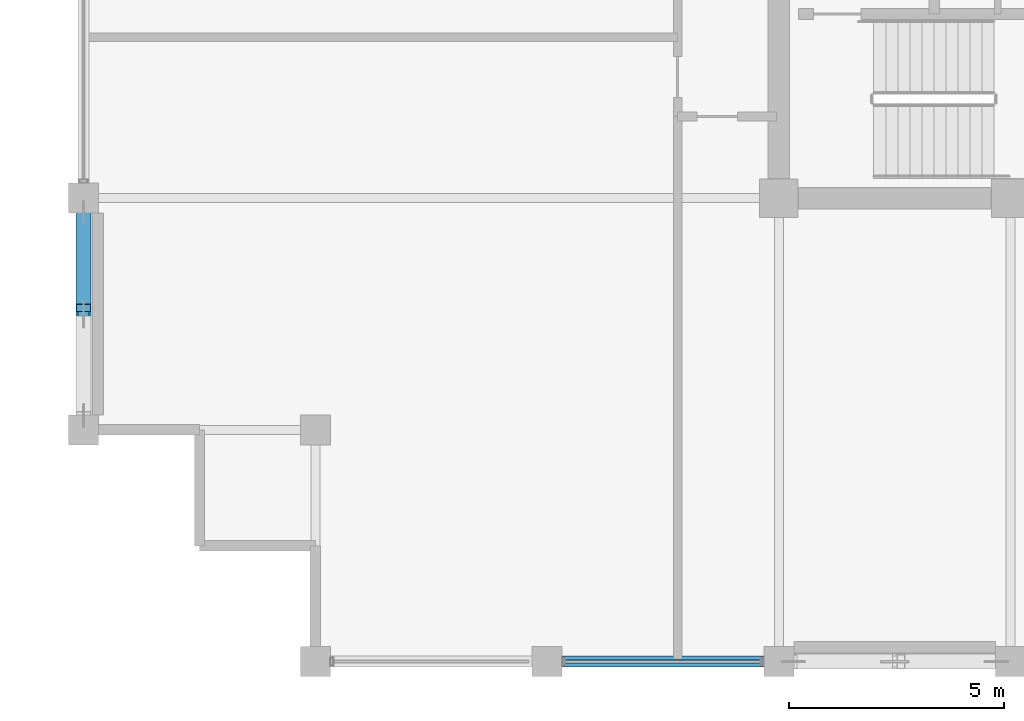
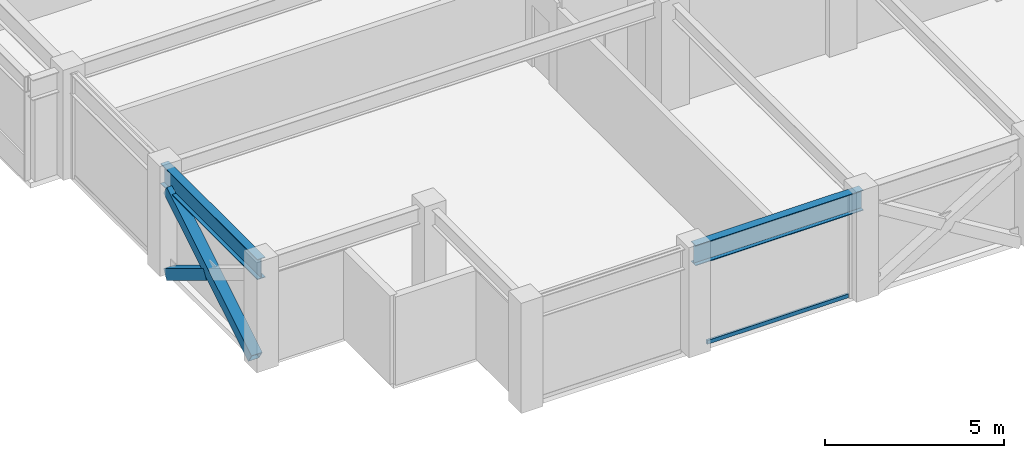
# One storey, part 3 of 32: 3 members, 2 beams, 1 element without a shape of its own.
"""IFC4 building model written with IfcOpenShell, lengths in metres."""

from ifc_helpers import new_model, si_unit, direction, frame, origin, origin_2d, place, context, subcontext, project, spatial, hollow_rectangle, i_section, extrude, material, layer, layer_set, material_profile, profile_set, type_object, element, aggregate, save


model = new_model("IFC4")

# Units and contexts
model_context = context("Model", 3, precision=1e-05, world=origin(), true_north=direction((0.0, 1.0)))
body_context = subcontext(model_context, "Body", "Model", "MODEL_VIEW")
ifc_project = project(units=[si_unit("LENGTHUNIT", "METRE"), si_unit("AREAUNIT", "SQUARE_METRE"), si_unit("VOLUMEUNIT", "CUBIC_METRE"), si_unit("PLANEANGLEUNIT", "RADIAN"), si_unit("MASSUNIT", "GRAM", prefix="KILO")], contexts=[model_context])

# Site, building, storey
site_placement = place(None, origin())
site = spatial("IfcSite", under=ifc_project, at=site_placement, CompositionType="ELEMENT")
building_placement = place(site_placement, origin())
building = spatial("IfcBuilding", under=site, at=building_placement, Name="Surkhivell Harbour Commons", CompositionType="ELEMENT")
storey_placement = place(building_placement, frame((0.0, 0.0, 311.25)))
storey = spatial("IfcBuildingStorey", under=building, at=storey_placement, Name="L81", CompositionType="ELEMENT", Elevation=311.25)

# Beams
ifc_material_1 = material(Name="Steel S355", Category="steel")
ifc_material_profile_1 = material_profile(ifc_material_1, i_section(OverallWidth=0.256103515625, OverallDepth=0.693115234375, WebThickness=0.014404296875, FlangeThickness=0.023681640625, at=origin_2d()), Name="UB686x254x170")
ifc_profile_set_1 = profile_set([ifc_material_profile_1], Name="Steel S355")
beam_type = type_object("IfcBeamType", Name="BM-SPN-686", PredefinedType="SPANDREL", material=ifc_profile_set_1)
for number, where, z_axis, x_axis, name in (
    (1, (-27.0, -16.199951171875, 3.223388671875), (0.0, 1.0, 0.0), (-1.0, 0.0, 0.0), "L81 Tube Spandrel (-27.0,-16.2)"),
    (2, (-16.199951171875, -21.60009765625, 3.223388671875), (1.0, 0.0, 0.0), (0.0, 1.0, 0.0), "L81 Tube Spandrel (-16.2,-21.6)"),
):
    element("IfcBeam", number, at=place(storey_placement, frame(where, z_axis=z_axis, x_axis=x_axis)), inside=storey, type_object=beam_type, Name=name, PredefinedType="SPANDREL", context=body_context, shape_type="SweptSolid", body=[
        extrude(i_section(OverallWidth=0.256103515625, OverallDepth=0.693115234375, WebThickness=0.014404296875, FlangeThickness=0.023681640625, at=origin_2d()), origin(), (0.0, 0.0, 1.0), 5.39990234375),
    ])

# Curtain wall, member
ifc_material_2 = material(Name="Anodised pale-metal aluminium and insulated glazing", Category="aluminium")
ifc_layer = layer(ifc_material_2, 0.175048828125)
ifc_layer_set = layer_set([ifc_layer], Name="Anodised pale-metal aluminium and insulated glazing")
curtain_wall_type = type_object("IfcCurtainWallType", Name="CW-SYS-Z4", PredefinedType="NOTDEFINED", material=ifc_layer_set)
curtain_wall_placement = place(storey_placement, origin())
curtain_wall = element("IfcCurtainWall", 3, at=curtain_wall_placement, inside=storey, type_object=curtain_wall_type, Name="L81 Curtain Wall CW-L81-E00S1", PredefinedType="NOTDEFINED")
ifc_material_3 = material(Name="Champagne anodised aluminium alloy 6063-T6", Category="aluminium")
ifc_material_profile_2 = material_profile(ifc_material_3, hollow_rectangle(XDim=0.070068359375, YDim=0.1298828125, WallThickness=0.00341796875, at=origin_2d()), Name="ALU-TRAN-70x130")
ifc_profile_set_2 = profile_set([ifc_material_profile_2], Name="Champagne anodised aluminium alloy 6063-T6")
member_type_1 = type_object("IfcMemberType", Name="CWT-130", PredefinedType="USERDEFINED", material=ifc_profile_set_2)
member_1_placement = place(storey_placement, frame((-15.77294921875, -21.60009765625, 0.06494140625), z_axis=(1.0, 0.0, 0.0), x_axis=(0.0, 1.0, 0.0)))
member_1 = element("IfcMember", 4, at=member_1_placement, type_object=member_type_1, Name="CW-Z4 transom 2.1", ObjectType="TRANSOM", PredefinedType="USERDEFINED", context=body_context, shape_type="SweptSolid", body=[
    extrude(hollow_rectangle(XDim=0.070068359375, YDim=0.1298828125, WallThickness=0.00341796875, at=origin_2d()), origin(), (0.0, 0.0, 1.0), 4.5458984375),
])
aggregate(curtain_wall, [member_1])

# Members
ifc_material_profile_3 = material_profile(ifc_material_1, hollow_rectangle(XDim=0.35009765625, YDim=0.35009765625, WallThickness=0.01611328125, at=origin_2d()), Name="SHS350x350x16")
ifc_profile_set_3 = profile_set([ifc_material_profile_3], Name="Steel S355")
member_type_2 = type_object("IfcMemberType", Name="MEM-BRC-SHS350", PredefinedType="BRACE", material=ifc_profile_set_3)
member_2_placement = place(storey_placement, frame((-27.0, -15.864990234375, 0.008056640625), z_axis=(0.0, 0.854685454322, 0.519146197299), x_axis=(-1.0, 0.0, 0.0)))
element("IfcMember", 5, at=member_2_placement, inside=storey, type_object=member_type_2, Name="L81 Perimeter Mega-Brace MB- 10", PredefinedType="BRACE", context=body_context, shape_type="SweptSolid", body=[
    extrude(hollow_rectangle(XDim=0.35009765625, YDim=0.35009765625, WallThickness=0.01611328125, at=origin_2d()), origin(), (0.0, 0.0, 1.0), 5.5341796875),
])
member_3_placement = place(storey_placement, frame((-27.0, -11.135009765625, 0.008056640625), z_axis=(0.0, -0.854678858595, 0.51915705588), x_axis=(1.0, 0.0, 0.0)))
element("IfcMember", 6, at=member_3_placement, inside=storey, type_object=member_type_2, Name="L81 Perimeter Mega-Brace MB- 11", PredefinedType="BRACE", context=body_context, shape_type="SweptSolid", body=[
    extrude(hollow_rectangle(XDim=0.35009765625, YDim=0.35009765625, WallThickness=0.01611328125, at=origin_2d()), origin(), (0.0, 0.0, 1.0), 2.59912109375),
])

save(model, "model.ifc")
